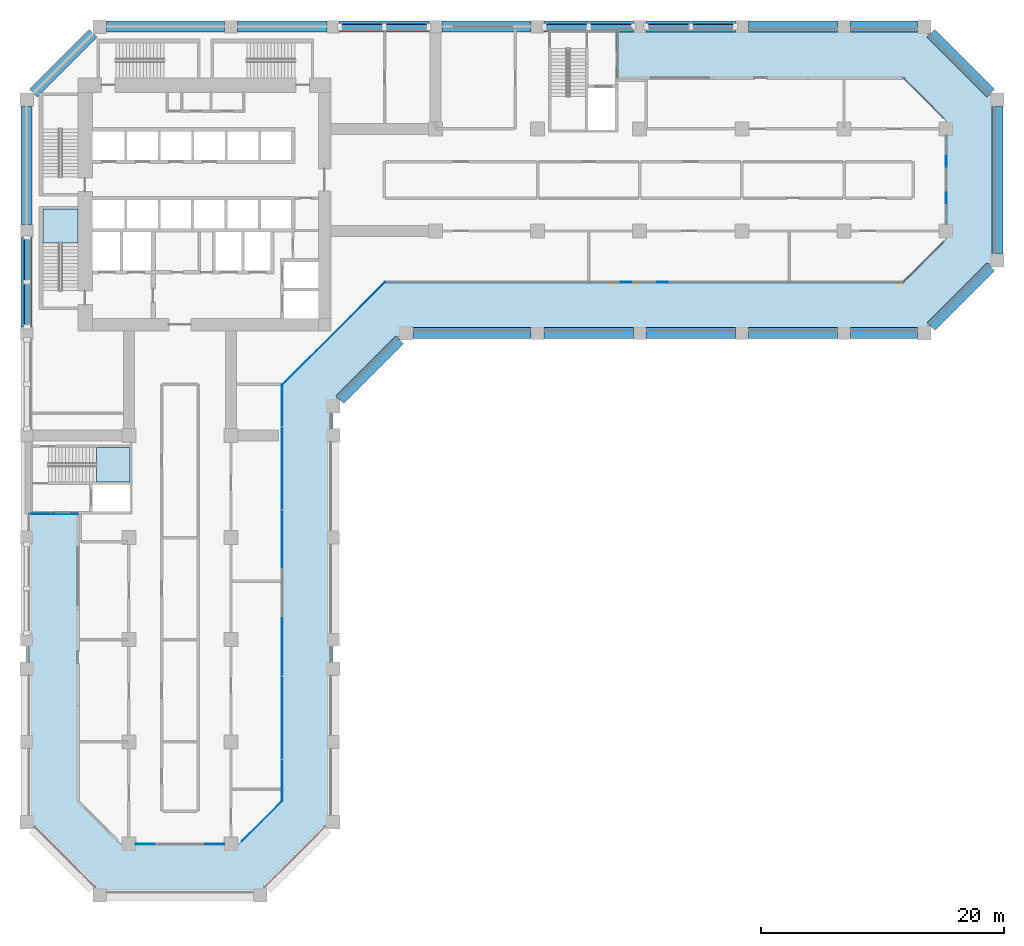
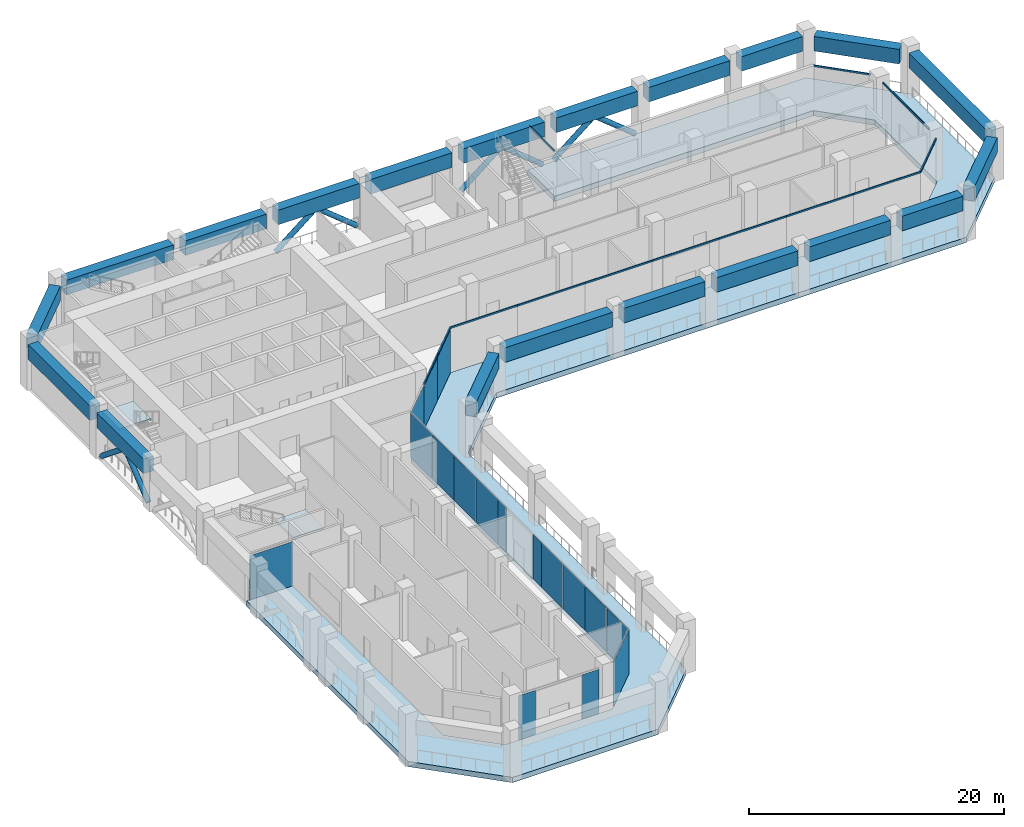
# One storey, part 3 of 19: 21 members, 20 beams, 17 plates, 3 slabs, 12 elements without a shape of their own.
"""IFC4 building model written with IfcOpenShell, lengths in metres."""

import ifcopenshell
import ifcopenshell.guid

model = None  # the IFC model being written
_history = None  # IfcOwnerHistory: only IFC2X3 demands one
_inside = {}  # id of a spatial element -> (the spatial element, [elements in it])
_under = {}  # id of a project, library or spatial element -> (it, [spatial elements below it])
_declared = {}  # id of a project -> (the project, [libraries it declares])
_typed = {}  # id of a type object -> (the type object, [elements of that type])
_made_of = {}  # id of a material, layer set ... -> (it, [elements and type objects made of it])


def new_model(schema):
    """Start an empty IFC model of exactly this schema.

    Asked for "IFC4X3", IfcOpenShell would pick the latest addendum, in which some entities
    have other attributes; the version numbers below select the first issue.
    IFC2X3 requires an IfcOwnerHistory on every rooted entity: one is made here for all.
    """
    global model, _history
    if schema == "IFC4X3":
        model = ifcopenshell.file(schema_version=(4, 3, 0, 0))
    else:
        model = ifcopenshell.file(schema=schema)
    _inside.clear()
    _under.clear()
    _declared.clear()
    _typed.clear()
    _made_of.clear()
    _history = None
    if model.schema == "IFC2X3":
        org = make("IfcOrganization", Name="unknown")
        user = make(
            "IfcPersonAndOrganization",
            ThePerson=make("IfcPerson", FamilyName="unknown"),
            TheOrganization=org,
        )
        app = make(
            "IfcApplication",
            ApplicationDeveloper=org,
            Version="unknown",
            ApplicationFullName="unknown",
            ApplicationIdentifier="unknown",
        )
        _history = make(
            "IfcOwnerHistory",
            OwningUser=user,
            OwningApplication=app,
            ChangeAction="ADDED",
            CreationDate=0,
        )
    return model


def make(cls, **values):
    """One entity of the class cls with the attributes given. An attribute that is None is left unset."""
    return model.create_entity(
        cls, **{name: value for name, value in values.items() if value is not None}
    )


def rooted(cls, **values):
    """An entity with a GlobalId (a new one), such as an element, a storey or a relation."""
    return make(cls, GlobalId=ifcopenshell.guid.new(), OwnerHistory=_history, **values)


def si_unit(unit_type, name, prefix=None):
    """IfcSIUnit, for example si_unit("LENGTHUNIT", "METRE", prefix="MILLI")."""
    return make("IfcSIUnit", UnitType=unit_type, Prefix=prefix, Name=name)


def assignment(units):
    """IfcUnitAssignment: the units of a project."""
    return None if units is None else make("IfcUnitAssignment", Units=units)


def point(xyz):
    """IfcCartesianPoint."""
    return None if xyz is None else make("IfcCartesianPoint", Coordinates=xyz)


def direction(xyz):
    """IfcDirection."""
    return None if xyz is None else make("IfcDirection", DirectionRatios=xyz)


def frame(location, z_axis=None, x_axis=None):
    """IfcAxis2Placement3D, a coordinate frame: its origin and axes. An axis left out is left unset."""
    return make(
        "IfcAxis2Placement3D",
        Location=point(location),
        Axis=direction(z_axis),
        RefDirection=direction(x_axis),
    )


def frame_2d(location, x_axis=None):
    """IfcAxis2Placement2D, a coordinate frame in the plane: its origin and x axis."""
    return make(
        "IfcAxis2Placement2D", Location=point(location), RefDirection=direction(x_axis)
    )


def origin():
    """The frame at (0, 0, 0) with its axes left unset."""
    return frame((0.0, 0.0, 0.0))


def origin_2d():
    """The frame at (0, 0) in the plane with its x axis left unset."""
    return frame_2d((0.0, 0.0))


def place(relative_to, where):
    """IfcLocalPlacement: puts the frame where relative to a parent placement (None: the world)."""
    return make(
        "IfcLocalPlacement", PlacementRelTo=relative_to, RelativePlacement=where
    )


def context(
    kind, dimensions, precision=None, world=None, true_north=None, identifier=None
):
    """IfcGeometricRepresentationContext, for example the 3D "Model" context."""
    return make(
        "IfcGeometricRepresentationContext",
        ContextIdentifier=identifier,
        ContextType=kind,
        CoordinateSpaceDimension=dimensions,
        Precision=precision,
        WorldCoordinateSystem=world,
        TrueNorth=true_north,
    )


def subcontext(parent, identifier, kind, view, scale=None):
    """IfcGeometricRepresentationSubContext, for example "Body" below "Model"."""
    return make(
        "IfcGeometricRepresentationSubContext",
        ContextIdentifier=identifier,
        ContextType=kind,
        ParentContext=parent,
        TargetScale=scale,
        TargetView=view,
    )


def project(units=None, contexts=None):
    """IfcProject with its units and contexts."""
    return rooted(
        "IfcProject",
        Name="project",
        RepresentationContexts=contexts,
        UnitsInContext=assignment(units),
    )


def spatial(cls, under=None, at=None, **own):
    """A site, building, storey or space (cls), placed at a placement, below another one or the project."""
    s = rooted(cls, ObjectPlacement=at, **own)
    if under is not None:
        _under.setdefault(under.id(), (under, []))[1].append(s)
    return s


def polyline(points):
    """IfcPolyline through the points."""
    return make("IfcPolyline", Points=[point(p) for p in points])


def profile(cls, at=None, kind="AREA", **sizes):
    """A parametric profile (cls). Its sizes go by their IFC names, for example OverallWidth=200.0."""
    return make(cls, ProfileType=kind, Position=at, **sizes)


def rectangle(**sizes):
    """IfcRectangleProfileDef."""
    return profile("IfcRectangleProfileDef", **sizes)


def hollow_circle(**sizes):
    """IfcCircleHollowProfileDef."""
    return profile("IfcCircleHollowProfileDef", **sizes)


def outline(outer, holes=None, kind="AREA"):
    """IfcArbitraryClosedProfileDef: a profile drawn as a closed curve; with holes, ...WithVoids."""
    if holes is None:
        return make("IfcArbitraryClosedProfileDef", ProfileType=kind, OuterCurve=outer)
    return make(
        "IfcArbitraryProfileDefWithVoids",
        ProfileType=kind,
        OuterCurve=outer,
        InnerCurves=holes,
    )


def extrude(swept, where, along, depth):
    """IfcExtrudedAreaSolid: the profile swept, set in the frame where, extruded along a direction by depth."""
    return make(
        "IfcExtrudedAreaSolid",
        SweptArea=swept,
        Position=where,
        ExtrudedDirection=direction(along),
        Depth=depth,
    )


def shape(context_of_items, identifier, shape_type, items):
    """IfcShapeRepresentation: the items that make up one representation, for example the "Body"."""
    return make(
        "IfcShapeRepresentation",
        ContextOfItems=context_of_items,
        RepresentationIdentifier=identifier,
        RepresentationType=shape_type,
        Items=items,
    )


def material(Name=None, Category=None):
    """IfcMaterial."""
    return make("IfcMaterial", Name=Name, Category=Category)


def layer(
    of_material, thickness, ventilated=None, Name=None, Category=None, Priority=None
):
    """IfcMaterialLayer: one layer of a wall or slab, of a material (None: an air gap)."""
    return make(
        "IfcMaterialLayer",
        Material=of_material,
        LayerThickness=thickness,
        IsVentilated=ventilated,
        Name=Name,
        Category=Category,
        Priority=Priority,
    )


def layer_set(layers, Name=None):
    """IfcMaterialLayerSet."""
    return make("IfcMaterialLayerSet", MaterialLayers=layers, LayerSetName=Name)


def material_profile(
    of_material, cross_section, Name=None, Category=None, Priority=None
):
    """IfcMaterialProfile: a cross section and its material."""
    return make(
        "IfcMaterialProfile",
        Name=Name,
        Material=of_material,
        Profile=cross_section,
        Priority=Priority,
        Category=Category,
    )


def profile_set(profiles, Name=None, composite=None):
    """IfcMaterialProfileSet."""
    return make(
        "IfcMaterialProfileSet",
        Name=Name,
        MaterialProfiles=profiles,
        CompositeProfile=composite,
    )


def made_of(thing, what):
    """Note that an element or type object is made of a material, layer set ...; save() writes the relation."""
    if what is not None:
        _made_of.setdefault(what.id(), (what, []))[1].append(thing)
    return thing


def type_object(cls, material=None, **own):
    """A type object (cls), such as IfcWallType, which elements share."""
    return made_of(rooted(cls, **own), material)


def element(
    cls,
    number,
    at=None,
    inside=None,
    cuts=None,
    type_object=None,
    material=None,
    context=None,
    identifier="Body",
    shape_type=None,
    held_by="IfcProductDefinitionShape",
    body=None,
    shapes=None,
    **own,
):
    """One element of the class cls, such as IfcWall. Its Tag is "e" and its number.

    at: its placement. inside: the storey or other place that contains it. cuts: it is an
    opening in that element (IfcRelVoidsElement). A single representation is given by context,
    identifier, shape_type and body (its items); several are given by shapes. held_by: the class
    of the entity that holds the representations. save() writes the other relations.
    """
    e = rooted(cls, Tag="e%d" % number, ObjectPlacement=at, **own)
    if body is not None:
        shapes = [shape(context, identifier, shape_type, body)]
    if shapes is not None:
        e.Representation = make(held_by, Representations=shapes)
    if inside is not None:
        _inside.setdefault(inside.id(), (inside, []))[1].append(e)
    if cuts is not None:
        rooted(
            "IfcRelVoidsElement", RelatingBuildingElement=cuts, RelatedOpeningElement=e
        )
    if type_object is not None:
        _typed.setdefault(type_object.id(), (type_object, []))[1].append(e)
    return made_of(e, material)


def aggregate(whole, parts):
    """IfcRelAggregates: a whole, such as a stair, and the parts it consists of."""
    return rooted("IfcRelAggregates", RelatingObject=whole, RelatedObjects=parts)


def save(model, path):
    """Write the relations noted so far, then the file.

    IfcRelAggregates (storeys below a building ...), IfcRelContainedInSpatialStructure (elements
    in a storey), IfcRelDefinesByType, IfcRelAssociatesMaterial and IfcRelDeclares: one each for
    every whole, place, type object, material and project.
    """
    for whole, parts in _under.values():
        aggregate(whole, parts)
    for where, things in _inside.values():
        rooted(
            "IfcRelContainedInSpatialStructure",
            RelatedElements=things,
            RelatingStructure=where,
        )
    for kind, things in _typed.values():
        rooted("IfcRelDefinesByType", RelatedObjects=things, RelatingType=kind)
    for what, things in _made_of.values():
        rooted("IfcRelAssociatesMaterial", RelatedObjects=things, RelatingMaterial=what)
    for by, libraries in _declared.values():
        rooted("IfcRelDeclares", RelatingContext=by, RelatedDefinitions=libraries)
    model.write(path)


model = new_model("IFC4")

# Units and contexts
model_context = context("Model", 3, precision=1e-05, world=origin(), true_north=direction((0.0, 1.0)))
body_context = subcontext(model_context, "Body", "Model", "MODEL_VIEW")
ifc_project = project(units=[si_unit("LENGTHUNIT", "METRE"), si_unit("AREAUNIT", "SQUARE_METRE"), si_unit("VOLUMEUNIT", "CUBIC_METRE"), si_unit("PLANEANGLEUNIT", "RADIAN"), si_unit("MASSUNIT", "GRAM", prefix="KILO")], contexts=[model_context])

# Site, building, storey
site_placement = place(None, origin())
site = spatial("IfcSite", under=ifc_project, at=site_placement, CompositionType="ELEMENT")
building_placement = place(site_placement, origin())
building = spatial("IfcBuilding", under=site, at=building_placement, Name="Kawkab Arch Medical Tower", CompositionType="ELEMENT")
storey_placement = place(building_placement, frame((0.0, 0.0, 93.800048828125)))
storey = spatial("IfcBuildingStorey", under=building, at=storey_placement, Name="L21", CompositionType="ELEMENT", Elevation=93.800048828125)

# Members
ifc_material_1 = material(Name="Steel S355", Category="steel")
ifc_material_profile_1 = material_profile(ifc_material_1, hollow_circle(Radius=0.228515625, WallThickness=0.02001953125, at=origin_2d()), Name="CHS 457x20")
ifc_profile_set_1 = profile_set([ifc_material_profile_1], Name="Steel S355")
member_type_1 = type_object("IfcMemberType", Name="CHS 457x20 belt truss brace S355", PredefinedType="BRACE", material=ifc_profile_set_1)
member_1_placement = place(storey_placement, frame((25.740478515625, 0.0, 0.1259765625), z_axis=(0.776941151094, 0.0, 0.629573226667), x_axis=(0.0, 1.0, 0.0)))
element("IfcMember", 1, at=member_1_placement, inside=storey, type_object=member_type_1, Name="Belt truss brace L21-N01A", PredefinedType="BRACE", context=body_context, shape_type="SweptSolid", body=[
    extrude(hollow_circle(Radius=0.228515625, WallThickness=0.02001953125, at=origin_2d()), origin(), (0.0, 0.0, 1.0), 4.699951171875),
])
member_2_placement = place(storey_placement, frame((33.0595703125, 0.0, 0.1259765625), z_axis=(-0.77696173889, 0.0, 0.629547818916), x_axis=(0.0, -1.0, 0.0)))
element("IfcMember", 2, at=member_2_placement, inside=storey, type_object=member_type_1, Name="Belt truss brace L21-N01B", PredefinedType="BRACE", context=body_context, shape_type="SweptSolid", body=[
    extrude(hollow_circle(Radius=0.228515625, WallThickness=0.02001953125, at=origin_2d()), origin(), (0.0, 0.0, 1.0), 4.7001953125),
])
member_3_placement = place(storey_placement, frame((42.54052734375, 0.0, 0.1259765625), z_axis=(0.776941151094, 0.0, 0.629573226667), x_axis=(0.0, 1.0, 0.0)))
element("IfcMember", 3, at=member_3_placement, inside=storey, type_object=member_type_1, Name="Belt truss brace L21-N02A", PredefinedType="BRACE", context=body_context, shape_type="SweptSolid", body=[
    extrude(hollow_circle(Radius=0.228515625, WallThickness=0.02001953125, at=origin_2d()), origin(), (0.0, 0.0, 1.0), 4.699951171875),
])
for number, where, z_axis, x_axis, name in (
    (4, (49.859619140625, 0.0, 0.1259765625), (-0.77696173889, 0.0, 0.629547818916), (0.0, -1.0, 0.0), "Belt truss brace L21-N02B"),
    (5, (50.9404296875, 0.0, 0.1259765625), (0.77696173889, 0.0, 0.629547818916), (0.0, 1.0, 0.0), "Belt truss brace L21-N03A"),
):
    element("IfcMember", number, at=place(storey_placement, frame(where, z_axis=z_axis, x_axis=x_axis)), inside=storey, type_object=member_type_1, Name=name, PredefinedType="BRACE", context=body_context, shape_type="SweptSolid", body=[
        extrude(hollow_circle(Radius=0.228515625, WallThickness=0.02001953125, at=origin_2d()), origin(), (0.0, 0.0, 1.0), 4.7001953125),
    ])
for number, where, z_axis, x_axis, name in (
    (6, (58.259521484375, 0.0, 0.1259765625), (-0.776941151094, 0.0, 0.629573226667), (0.0, -1.0, 0.0), "Belt truss brace L21-N03B"),
    (7, (0.0, -24.659423828125, 0.1259765625), (0.0, 0.776941151094, 0.629573226667), (-1.0, 0.0, 0.0), "Belt truss brace L21-W06A"),
    (8, (0.0, -17.340576171875, 0.1259765625), (0.0, -0.776941151094, 0.629573226667), (1.0, 0.0, 0.0), "Belt truss brace L21-W06B"),
):
    element("IfcMember", number, at=place(storey_placement, frame(where, z_axis=z_axis, x_axis=x_axis)), inside=storey, type_object=member_type_1, Name=name, PredefinedType="BRACE", context=body_context, shape_type="SweptSolid", body=[
        extrude(hollow_circle(Radius=0.228515625, WallThickness=0.02001953125, at=origin_2d()), origin(), (0.0, 0.0, 1.0), 4.699951171875),
    ])

# Curtain wall, members
ifc_material_2 = material(Name="Bronze anodised aluminium curtain wall frame", Category="aluminium")
ifc_layer_1 = layer(ifc_material_2, 0.159912109375)
ifc_layer_set_1 = layer_set([ifc_layer_1], Name="Bronze anodised aluminium curtain wall frame")
curtain_wall_type = type_object("IfcCurtainWallType", Name="CW4 refuge floor fire-protected glazing", PredefinedType="NOTDEFINED", material=ifc_layer_set_1)
placement_1 = place(storey_placement, origin())
curtain_wall_1 = element("IfcCurtainWall", 9, at=placement_1, inside=storey, type_object=curtain_wall_type, Name="CW4 Refuge floor fire-protected glazing R10", PredefinedType="NOTDEFINED")
ifc_material_3 = material(Name="Bronze anodised aluminium curtain wall frame", Category="aluminium")
ifc_material_profile_2 = material_profile(ifc_material_3, rectangle(XDim=0.080078125, YDim=0.159912109375, at=origin_2d()), Name="AL 80x160")
ifc_profile_set_2 = profile_set([ifc_material_profile_2], Name="Bronze anodised aluminium curtain wall frame")
member_type_2 = type_object("IfcMemberType", Name="CW4 transom 160 x 80", PredefinedType="USERDEFINED", material=ifc_profile_set_2)
member_4_placement = place(storey_placement, frame((23.820068359375, -26.639892578125, 4.320068359375), z_axis=(0.707106781187, 0.707106781187, 0.0), x_axis=(-0.707106781187, 0.707106781187, 0.0)))
member_4 = element("IfcMember", 10, at=member_4_placement, type_object=member_type_2, Name="CW4 transom 2", ObjectType="TRANSOM", PredefinedType="USERDEFINED", context=body_context, shape_type="SweptSolid", body=[
    extrude(rectangle(XDim=0.080078125, YDim=0.159912109375, at=origin_2d()), origin(), (0.0, 0.0, 1.0), 3.98779296875),
])
member_5_placement = place(storey_placement, frame((26.639892578125, -23.820068359375, 4.320068359375), z_axis=(0.707106781187, 0.707106781187, 0.0), x_axis=(-0.707106781187, 0.707106781187, 0.0)))
member_5 = element("IfcMember", 11, at=member_5_placement, type_object=member_type_2, Name="CW4 transom 3", ObjectType="TRANSOM", PredefinedType="USERDEFINED", context=body_context, shape_type="SweptSolid", body=[
    extrude(rectangle(XDim=0.080078125, YDim=0.159912109375, at=origin_2d()), origin(), (0.0, 0.0, 1.0), 3.98828125),
])

curtain_wall_2 = element("IfcCurtainWall", 12, at=placement_1, inside=storey, type_object=curtain_wall_type, Name="CW4 Refuge floor fire-protected glazing R11", PredefinedType="NOTDEFINED")
member_6_placement = place(storey_placement, frame((29.4599609375, -21.0, 4.320068359375), z_axis=(1.0, 0.0, 0.0), x_axis=(0.0, 1.0, 0.0)))
member_6 = element("IfcMember", 13, at=member_6_placement, type_object=member_type_2, Name="CW4 transom 1", ObjectType="TRANSOM", PredefinedType="USERDEFINED", context=body_context, shape_type="SweptSolid", body=[
    extrude(rectangle(XDim=0.080078125, YDim=0.159912109375, at=origin_2d()), origin(), (0.0, 0.0, 1.0), 6.085693359375),
])
member_7_placement = place(storey_placement, frame((35.545654296875, -21.0, 4.320068359375), z_axis=(1.0, 0.0, 0.0), x_axis=(0.0, 1.0, 0.0)))
member_7 = element("IfcMember", 14, at=member_7_placement, type_object=member_type_2, Name="CW4 transom 2", ObjectType="TRANSOM", PredefinedType="USERDEFINED", context=body_context, shape_type="SweptSolid", body=[
    extrude(rectangle(XDim=0.080078125, YDim=0.159912109375, at=origin_2d()), origin(), (0.0, 0.0, 1.0), 6.085693359375),
])
member_8_placement = place(storey_placement, frame((41.63134765625, -21.0, 4.320068359375), z_axis=(1.0, 0.0, 0.0), x_axis=(0.0, 1.0, 0.0)))
member_8 = element("IfcMember", 15, at=member_8_placement, type_object=member_type_2, Name="CW4 transom 3", ObjectType="TRANSOM", PredefinedType="USERDEFINED", context=body_context, shape_type="SweptSolid", body=[
    extrude(rectangle(XDim=0.080078125, YDim=0.159912109375, at=origin_2d()), origin(), (0.0, 0.0, 1.0), 6.085693359375),
])
member_9_placement = place(storey_placement, frame((47.717041015625, -21.0, 4.320068359375), z_axis=(1.0, 0.0, 0.0), x_axis=(0.0, 1.0, 0.0)))
member_9 = element("IfcMember", 16, at=member_9_placement, type_object=member_type_2, Name="CW4 transom 4", ObjectType="TRANSOM", PredefinedType="USERDEFINED", context=body_context, shape_type="SweptSolid", body=[
    extrude(rectangle(XDim=0.080078125, YDim=0.159912109375, at=origin_2d()), origin(), (0.0, 0.0, 1.0), 6.0859375),
])
member_10_placement = place(storey_placement, frame((53.802978515625, -21.0, 4.320068359375), z_axis=(1.0, 0.0, 0.0), x_axis=(0.0, 1.0, 0.0)))
member_10 = element("IfcMember", 17, at=member_10_placement, type_object=member_type_2, Name="CW4 transom 5", ObjectType="TRANSOM", PredefinedType="USERDEFINED", context=body_context, shape_type="SweptSolid", body=[
    extrude(rectangle(XDim=0.080078125, YDim=0.159912109375, at=origin_2d()), origin(), (0.0, 0.0, 1.0), 6.085693359375),
])
member_11_placement = place(storey_placement, frame((59.888671875, -21.0, 4.320068359375), z_axis=(1.0, 0.0, 0.0), x_axis=(0.0, 1.0, 0.0)))
member_11 = element("IfcMember", 18, at=member_11_placement, type_object=member_type_2, Name="CW4 transom 6", ObjectType="TRANSOM", PredefinedType="USERDEFINED", context=body_context, shape_type="SweptSolid", body=[
    extrude(rectangle(XDim=0.080078125, YDim=0.159912109375, at=origin_2d()), origin(), (0.0, 0.0, 1.0), 6.085693359375),
])
member_12_placement = place(storey_placement, frame((65.974365234375, -21.0, 4.320068359375), z_axis=(1.0, 0.0, 0.0), x_axis=(0.0, 1.0, 0.0)))
member_12 = element("IfcMember", 19, at=member_12_placement, type_object=member_type_2, Name="CW4 transom 7", ObjectType="TRANSOM", PredefinedType="USERDEFINED", context=body_context, shape_type="SweptSolid", body=[
    extrude(rectangle(XDim=0.080078125, YDim=0.159912109375, at=origin_2d()), origin(), (0.0, 0.0, 1.0), 6.085693359375),
])
aggregate(curtain_wall_2, [member_6, member_7, member_8, member_9, member_10, member_11, member_12])

# Curtain wall, member
curtain_wall_3 = element("IfcCurtainWall", 20, at=placement_1, inside=storey, type_object=curtain_wall_type, Name="CW4 Refuge floor fire-protected glazing R12", PredefinedType="NOTDEFINED")
member_13_placement = place(storey_placement, frame((72.06005859375, -21.0, 4.320068359375), z_axis=(0.707106781187, 0.707106781187, 0.0), x_axis=(-0.707106781187, 0.707106781187, 0.0)))
member_13 = element("IfcMember", 21, at=member_13_placement, type_object=member_type_2, Name="CW4 transom 1", ObjectType="TRANSOM", PredefinedType="USERDEFINED", context=body_context, shape_type="SweptSolid", body=[
    extrude(rectangle(XDim=0.080078125, YDim=0.159912109375, at=origin_2d()), origin(), (0.0, 0.0, 1.0), 4.65966796875),
])
aggregate(curtain_wall_3, [member_13])

curtain_wall_4 = element("IfcCurtainWall", 22, at=placement_1, inside=storey, type_object=curtain_wall_type, Name="CW4 Refuge floor fire-protected glazing R13", PredefinedType="NOTDEFINED")
member_14_placement = place(storey_placement, frame((75.60009765625, -16.22509765625, 4.320068359375), z_axis=(0.0, 1.0, 0.0), x_axis=(-1.0, 0.0, 0.0)))
member_14 = element("IfcMember", 23, at=member_14_placement, type_object=member_type_2, Name="CW4 transom 1", ObjectType="TRANSOM", PredefinedType="USERDEFINED", context=body_context, shape_type="SweptSolid", body=[
    extrude(rectangle(XDim=0.080078125, YDim=0.159912109375, at=origin_2d()), origin(), (0.0, 0.0, 1.0), 7.25),
])
aggregate(curtain_wall_4, [member_14])

curtain_wall_5 = element("IfcCurtainWall", 24, at=placement_1, inside=storey, type_object=curtain_wall_type, Name="CW4 Refuge floor fire-protected glazing R14", PredefinedType="NOTDEFINED")
member_15_placement = place(storey_placement, frame((75.35498046875, -7.4951171875, 4.320068359375), z_axis=(-0.70708058477, 0.707132976633, 0.0), x_axis=(-0.707132976633, -0.70708058477, 0.0)))
member_15 = element("IfcMember", 25, at=member_15_placement, type_object=member_type_2, Name="CW4 transom 1", ObjectType="TRANSOM", PredefinedType="USERDEFINED", context=body_context, shape_type="SweptSolid", body=[
    extrude(rectangle(XDim=0.080078125, YDim=0.159912109375, at=origin_2d()), origin(), (0.0, 0.0, 1.0), 4.659912109375),
])
aggregate(curtain_wall_5, [member_15])

curtain_wall_6 = element("IfcCurtainWall", 26, at=placement_1, inside=storey, type_object=curtain_wall_type, Name="CW4 Refuge floor fire-protected glazing R16", PredefinedType="NOTDEFINED")
member_16_placement = place(storey_placement, frame((48.60107421875, -4.199951171875, 4.320068359375), z_axis=(0.0, 1.0, 0.0), x_axis=(-1.0, 0.0, 0.0)))
member_16 = element("IfcMember", 27, at=member_16_placement, type_object=member_type_2, Name="CW4 transom 1", ObjectType="TRANSOM", PredefinedType="USERDEFINED", context=body_context, shape_type="SweptSolid", body=[
    extrude(rectangle(XDim=0.080078125, YDim=0.159912109375, at=origin_2d()), origin(), (0.0, 0.0, 1.0), 3.89990234375),
])
aggregate(curtain_wall_6, [member_16])

# Beams
ifc_material_4 = material(Name="Concrete C55/67", Category="concrete")
ifc_material_profile_3 = material_profile(ifc_material_4, rectangle(XDim=0.89990234375, YDim=1.39990234375, at=origin_2d()), Name="RC 900x1400")
ifc_profile_set_3 = profile_set([ifc_material_profile_3], Name="Concrete C55/67")
beam_type = type_object("IfcBeamType", Name="RC 900x1400 beam C55/67", PredefinedType="SPANDREL", material=ifc_profile_set_3)
beam_1_placement = place(storey_placement, frame((0.550048828125, -5.449951171875, 3.699951171875), z_axis=(0.707106781187, 0.707106781187, 0.0), x_axis=(-0.707106781187, 0.707106781187, 0.0)))
element("IfcBeam", 28, at=beam_1_placement, inside=storey, type_object=beam_type, Name="Belt beam L21-01", PredefinedType="SPANDREL", context=body_context, shape_type="SweptSolid", body=[
    extrude(rectangle(XDim=0.89990234375, YDim=1.39990234375, at=origin_2d()), origin(), (0.0, 0.0, 1.0), 6.929443359375),
])
beam_2_placement = place(storey_placement, frame((6.550048828125, 0.0, 3.699951171875), z_axis=(1.0, 0.0, 0.0), x_axis=(0.0, 1.0, 0.0)))
element("IfcBeam", 29, at=beam_2_placement, inside=storey, type_object=beam_type, Name="Belt beam L21-02", PredefinedType="SPANDREL", context=body_context, shape_type="SweptSolid", body=[
    extrude(rectangle(XDim=0.89990234375, YDim=1.39990234375, at=origin_2d()), origin(), (0.0, 0.0, 1.0), 9.724853515625),
])
beam_3_placement = place(storey_placement, frame((17.324951171875, 0.0, 3.699951171875), z_axis=(1.0, 0.0, 0.0), x_axis=(0.0, 1.0, 0.0)))
element("IfcBeam", 30, at=beam_3_placement, inside=storey, type_object=beam_type, Name="Belt beam L21-03", PredefinedType="SPANDREL", context=body_context, shape_type="SweptSolid", body=[
    extrude(rectangle(XDim=0.89990234375, YDim=1.39990234375, at=origin_2d()), origin(), (0.0, 0.0, 1.0), 7.35009765625),
])
beam_4_placement = place(storey_placement, frame((25.72509765625, 0.0, 3.699951171875), z_axis=(1.0, 0.0, 0.0), x_axis=(0.0, 1.0, 0.0)))
element("IfcBeam", 31, at=beam_4_placement, inside=storey, type_object=beam_type, Name="Belt beam L21-04", PredefinedType="SPANDREL", context=body_context, shape_type="SweptSolid", body=[
    extrude(rectangle(XDim=0.89990234375, YDim=1.39990234375, at=origin_2d()), origin(), (0.0, 0.0, 1.0), 7.349853515625),
])
for number, where, z_axis, x_axis, name in (
    (32, (34.125, 0.0, 3.699951171875), (1.0, 0.0, 0.0), (0.0, 1.0, 0.0), "Belt beam L21-05"),
    (33, (42.52490234375, 0.0, 3.699951171875), (1.0, 0.0, 0.0), (0.0, 1.0, 0.0), "Belt beam L21-06"),
):
    element("IfcBeam", number, at=place(storey_placement, frame(where, z_axis=z_axis, x_axis=x_axis)), inside=storey, type_object=beam_type, Name=name, PredefinedType="SPANDREL", context=body_context, shape_type="SweptSolid", body=[
        extrude(rectangle(XDim=0.89990234375, YDim=1.39990234375, at=origin_2d()), origin(), (0.0, 0.0, 1.0), 7.35009765625),
    ])
beam_5_placement = place(storey_placement, frame((50.925048828125, 0.0, 3.699951171875), z_axis=(1.0, 0.0, 0.0), x_axis=(0.0, 1.0, 0.0)))
element("IfcBeam", 34, at=beam_5_placement, inside=storey, type_object=beam_type, Name="Belt beam L21-07", PredefinedType="SPANDREL", context=body_context, shape_type="SweptSolid", body=[
    extrude(rectangle(XDim=0.89990234375, YDim=1.39990234375, at=origin_2d()), origin(), (0.0, 0.0, 1.0), 7.349853515625),
])
beam_6_placement = place(storey_placement, frame((59.324951171875, 0.0, 3.699951171875), z_axis=(1.0, 0.0, 0.0), x_axis=(0.0, 1.0, 0.0)))
element("IfcBeam", 35, at=beam_6_placement, inside=storey, type_object=beam_type, Name="Belt beam L21-08", PredefinedType="SPANDREL", context=body_context, shape_type="SweptSolid", body=[
    extrude(rectangle(XDim=0.89990234375, YDim=1.39990234375, at=origin_2d()), origin(), (0.0, 0.0, 1.0), 7.35009765625),
])
beam_7_placement = place(storey_placement, frame((67.72509765625, 0.0, 3.699951171875), z_axis=(1.0, 0.0, 0.0), x_axis=(0.0, 1.0, 0.0)))
element("IfcBeam", 36, at=beam_7_placement, inside=storey, type_object=beam_type, Name="Belt beam L21-09", PredefinedType="SPANDREL", context=body_context, shape_type="SweptSolid", body=[
    extrude(rectangle(XDim=0.89990234375, YDim=1.39990234375, at=origin_2d()), origin(), (0.0, 0.0, 1.0), 5.52490234375),
])
beam_8_placement = place(storey_placement, frame((74.35009765625, -0.550048828125, 3.699951171875), z_axis=(0.707106781187, -0.707106781187, 0.0), x_axis=(0.707106781187, 0.707106781187, 0.0)))
element("IfcBeam", 37, at=beam_8_placement, inside=storey, type_object=beam_type, Name="Belt beam L21-10", PredefinedType="SPANDREL", context=body_context, shape_type="SweptSolid", body=[
    extrude(rectangle(XDim=0.89990234375, YDim=1.39990234375, at=origin_2d()), origin(), (0.0, 0.0, 1.0), 6.929443359375),
])
beam_9_placement = place(storey_placement, frame((79.800048828125, -6.550048828125, 3.699951171875), z_axis=(0.0, -1.0, 0.0), x_axis=(1.0, 0.0, 0.0)))
element("IfcBeam", 38, at=beam_9_placement, inside=storey, type_object=beam_type, Name="Belt beam L21-11", PredefinedType="SPANDREL", context=body_context, shape_type="SweptSolid", body=[
    extrude(rectangle(XDim=0.89990234375, YDim=1.39990234375, at=origin_2d()), origin(), (0.0, 0.0, 1.0), 12.099853515625),
])
beam_10_placement = place(storey_placement, frame((79.25, -19.75, 3.699951171875), z_axis=(-0.707106781187, -0.707106781187, 0.0), x_axis=(0.707106781187, -0.707106781187, 0.0)))
element("IfcBeam", 39, at=beam_10_placement, inside=storey, type_object=beam_type, Name="Belt beam L21-12", PredefinedType="SPANDREL", context=body_context, shape_type="SweptSolid", body=[
    extrude(rectangle(XDim=0.89990234375, YDim=1.39990234375, at=origin_2d()), origin(), (0.0, 0.0, 1.0), 6.929443359375),
])
beam_11_placement = place(storey_placement, frame((73.25, -25.199951171875, 3.699951171875), z_axis=(-1.0, 0.0, 0.0), x_axis=(0.0, -1.0, 0.0)))
element("IfcBeam", 40, at=beam_11_placement, inside=storey, type_object=beam_type, Name="Belt beam L21-13", PredefinedType="SPANDREL", context=body_context, shape_type="SweptSolid", body=[
    extrude(rectangle(XDim=0.89990234375, YDim=1.39990234375, at=origin_2d()), origin(), (0.0, 0.0, 1.0), 5.52490234375),
])
beam_12_placement = place(storey_placement, frame((66.675048828125, -25.199951171875, 3.699951171875), z_axis=(-1.0, 0.0, 0.0), x_axis=(0.0, -1.0, 0.0)))
element("IfcBeam", 41, at=beam_12_placement, inside=storey, type_object=beam_type, Name="Belt beam L21-14", PredefinedType="SPANDREL", context=body_context, shape_type="SweptSolid", body=[
    extrude(rectangle(XDim=0.89990234375, YDim=1.39990234375, at=origin_2d()), origin(), (0.0, 0.0, 1.0), 7.35009765625),
])
beam_13_placement = place(storey_placement, frame((58.27490234375, -25.199951171875, 3.699951171875), z_axis=(-1.0, 0.0, 0.0), x_axis=(0.0, -1.0, 0.0)))
element("IfcBeam", 42, at=beam_13_placement, inside=storey, type_object=beam_type, Name="Belt beam L21-15", PredefinedType="SPANDREL", context=body_context, shape_type="SweptSolid", body=[
    extrude(rectangle(XDim=0.89990234375, YDim=1.39990234375, at=origin_2d()), origin(), (0.0, 0.0, 1.0), 7.349853515625),
])
beam_14_placement = place(storey_placement, frame((49.875, -25.199951171875, 3.699951171875), z_axis=(-1.0, 0.0, 0.0), x_axis=(0.0, -1.0, 0.0)))
element("IfcBeam", 43, at=beam_14_placement, inside=storey, type_object=beam_type, Name="Belt beam L21-16", PredefinedType="SPANDREL", context=body_context, shape_type="SweptSolid", body=[
    extrude(rectangle(XDim=0.89990234375, YDim=1.39990234375, at=origin_2d()), origin(), (0.0, 0.0, 1.0), 7.35009765625),
])
beam_15_placement = place(storey_placement, frame((41.47509765625, -25.199951171875, 3.699951171875), z_axis=(-1.0, 0.0, 0.0), x_axis=(0.0, -1.0, 0.0)))
element("IfcBeam", 44, at=beam_15_placement, inside=storey, type_object=beam_type, Name="Belt beam L21-17", PredefinedType="SPANDREL", context=body_context, shape_type="SweptSolid", body=[
    extrude(rectangle(XDim=0.89990234375, YDim=1.39990234375, at=origin_2d()), origin(), (0.0, 0.0, 1.0), 9.72509765625),
])
beam_16_placement = place(storey_placement, frame((30.64990234375, -25.75, 3.699951171875), z_axis=(-0.707106781187, -0.707106781187, 0.0), x_axis=(0.707106781187, -0.707106781187, 0.0)))
element("IfcBeam", 45, at=beam_16_placement, inside=storey, type_object=beam_type, Name="Belt beam L21-18", PredefinedType="SPANDREL", context=body_context, shape_type="SweptSolid", body=[
    extrude(rectangle(XDim=0.89990234375, YDim=1.39990234375, at=origin_2d()), origin(), (0.0, 0.0, 1.0), 6.929443359375),
])
beam_17_placement = place(storey_placement, frame((0.0, -24.675048828125, 3.699951171875), z_axis=(0.0, 1.0, 0.0), x_axis=(-1.0, 0.0, 0.0)))
element("IfcBeam", 46, at=beam_17_placement, inside=storey, type_object=beam_type, Name="Belt beam L21-34", PredefinedType="SPANDREL", context=body_context, shape_type="SweptSolid", body=[
    extrude(rectangle(XDim=0.89990234375, YDim=1.39990234375, at=origin_2d()), origin(), (0.0, 0.0, 1.0), 7.35009765625),
])
beam_18_placement = place(storey_placement, frame((0.0, -16.27490234375, 3.699951171875), z_axis=(0.0, 1.0, 0.0), x_axis=(-1.0, 0.0, 0.0)))
element("IfcBeam", 47, at=beam_18_placement, inside=storey, type_object=beam_type, Name="Belt beam L21-35", PredefinedType="SPANDREL", context=body_context, shape_type="SweptSolid", body=[
    extrude(rectangle(XDim=0.89990234375, YDim=1.39990234375, at=origin_2d()), origin(), (0.0, 0.0, 1.0), 9.724853515625),
])

# Curtain wall, plate
curtain_wall_7 = element("IfcCurtainWall", 48, at=placement_1, inside=storey, type_object=curtain_wall_type, Name="CW4 Refuge floor fire-protected glazing R04", PredefinedType="NOTDEFINED")
ifc_material_5 = material(Name="Fire-resisting laminated glass", Category="glass")
ifc_layer_2 = layer(ifc_material_5, 0.0400390625)
ifc_layer_set_2 = layer_set([ifc_layer_2], Name="Fire-resisting laminated glass")
plate_type = type_object("IfcPlateType", Name="CW4 glazing unit 40", PredefinedType="CURTAIN_PANEL", material=ifc_layer_set_2)
plate_1_placement = place(storey_placement, frame((2.25, -40.050048828125, 0.0), z_axis=(0.0, 0.0, 1.0), x_axis=(1.0, 0.0, 0.0)))
plate_1 = element("IfcPlate", 49, at=plate_1_placement, type_object=plate_type, Name="CW4 glazing unit 1.1", PredefinedType="CURTAIN_PANEL", context=body_context, shape_type="SweptSolid", body=[
    extrude(rectangle(XDim=3.89990234375, YDim=0.0400390625, at=origin_2d()), origin(), (0.0, 0.0, 1.0), 4.239990234375),
])
aggregate(curtain_wall_7, [plate_1])

# Curtain wall, plates
curtain_wall_8 = element("IfcCurtainWall", 50, at=placement_1, inside=storey, type_object=curtain_wall_type, Name="CW4 Refuge floor fire-protected glazing R07", PredefinedType="NOTDEFINED")
plate_2_placement = place(storey_placement, frame((9.737548828125, -67.200927734375, 0.0), z_axis=(0.0, 0.0, 1.0), x_axis=(1.0, 0.0, 0.0)))
plate_2 = element("IfcPlate", 51, at=plate_2_placement, type_object=plate_type, Name="CW4 glazing unit 1.1", PredefinedType="CURTAIN_PANEL", context=body_context, shape_type="SweptSolid", body=[
    extrude(rectangle(XDim=1.52490234375, YDim=0.0400390625, at=origin_2d()), origin(), (0.0, 0.0, 1.0), 4.239990234375),
])
plate_3_placement = place(storey_placement, frame((15.46240234375, -67.200927734375, 0.0), z_axis=(0.0, 0.0, 1.0), x_axis=(1.0, 0.0, 0.0)))
plate_3 = element("IfcPlate", 52, at=plate_3_placement, type_object=plate_type, Name="CW4 glazing unit 1.3", PredefinedType="CURTAIN_PANEL", context=body_context, shape_type="SweptSolid", body=[
    extrude(rectangle(XDim=1.52490234375, YDim=0.0400390625, at=origin_2d()), origin(), (0.0, 0.0, 1.0), 4.239990234375),
])
aggregate(curtain_wall_8, [plate_2, plate_3])

# Curtain wall, plate
curtain_wall_9 = element("IfcCurtainWall", 53, at=placement_1, inside=storey, type_object=curtain_wall_type, Name="CW4 Refuge floor fire-protected glazing R08", PredefinedType="NOTDEFINED")
plate_4_placement = place(storey_placement, frame((19.3525390625, -65.3076171875, 0.0), z_axis=(0.0, 0.0, 1.0), x_axis=(0.707106781187, 0.707106781187, 0.0)))
plate_4 = element("IfcPlate", 54, at=plate_4_placement, type_object=plate_type, Name="CW4 glazing unit 1.1", PredefinedType="CURTAIN_PANEL", context=body_context, shape_type="SweptSolid", body=[
    extrude(rectangle(XDim=4.659912109375, YDim=0.0400390625, at=origin_2d()), origin(), (0.0, 0.0, 1.0), 4.239990234375),
])
aggregate(curtain_wall_9, [plate_4])

# Curtain wall, plates
curtain_wall_10 = element("IfcCurtainWall", 55, at=placement_1, inside=storey, type_object=curtain_wall_type, Name="CW4 Refuge floor fire-protected glazing R09", PredefinedType="NOTDEFINED")
plate_5_placement = place(storey_placement, frame((21.0, -61.969970703125, 0.0), z_axis=(0.0, 0.0, 1.0), x_axis=(0.0, 1.0, 0.0)))
plate_5 = element("IfcPlate", 56, at=plate_5_placement, type_object=plate_type, Name="CW4 glazing unit 1.1", PredefinedType="CURTAIN_PANEL", context=body_context, shape_type="SweptSolid", body=[
    extrude(rectangle(XDim=3.3798828125, YDim=0.0400390625, at=origin_2d()), origin(), (0.0, 0.0, 1.0), 4.239990234375),
])
plate_6_placement = place(storey_placement, frame((21.0, -58.510009765625, 0.0), z_axis=(0.0, 0.0, 1.0), x_axis=(0.0, 1.0, 0.0)))
plate_6 = element("IfcPlate", 57, at=plate_6_placement, type_object=plate_type, Name="CW4 glazing unit 1.2", PredefinedType="CURTAIN_PANEL", context=body_context, shape_type="SweptSolid", body=[
    extrude(rectangle(XDim=3.3798828125, YDim=0.0400390625, at=origin_2d()), origin(), (0.0, 0.0, 1.0), 4.239990234375),
])
plate_7_placement = place(storey_placement, frame((21.0, -55.1298828125, 0.0), z_axis=(0.0, 0.0, 1.0), x_axis=(0.0, 1.0, 0.0)))
plate_7 = element("IfcPlate", 58, at=plate_7_placement, type_object=plate_type, Name="CW4 glazing unit 2.1", PredefinedType="CURTAIN_PANEL", context=body_context, shape_type="SweptSolid", body=[
    extrude(rectangle(XDim=3.3798828125, YDim=0.0400390625, at=origin_2d()), origin(), (0.0, 0.0, 1.0), 4.239990234375),
])
plate_8_placement = place(storey_placement, frame((21.0, -51.669921875, 0.0), z_axis=(0.0, 0.0, 1.0), x_axis=(0.0, 1.0, 0.0)))
plate_8 = element("IfcPlate", 59, at=plate_8_placement, type_object=plate_type, Name="CW4 glazing unit 2.2", PredefinedType="CURTAIN_PANEL", context=body_context, shape_type="SweptSolid", body=[
    extrude(rectangle(XDim=3.3798828125, YDim=0.0400390625, at=origin_2d()), origin(), (0.0, 0.0, 1.0), 4.239990234375),
])
plate_9_placement = place(storey_placement, frame((21.0, -49.320068359375, 0.0), z_axis=(0.0, 0.0, 1.0), x_axis=(0.0, 1.0, 0.0)))
plate_9 = element("IfcPlate", 60, at=plate_9_placement, type_object=plate_type, Name="CW4 glazing unit 3.1", PredefinedType="CURTAIN_PANEL", context=body_context, shape_type="SweptSolid", body=[
    extrude(rectangle(XDim=1.320068359375, YDim=0.0400390625, at=origin_2d()), origin(), (0.0, 0.0, 1.0), 4.239990234375),
])
plate_10_placement = place(storey_placement, frame((21.0, -43.800048828125, 0.0), z_axis=(0.0, 0.0, 1.0), x_axis=(0.0, 1.0, 0.0)))
plate_10 = element("IfcPlate", 61, at=plate_10_placement, type_object=plate_type, Name="CW4 glazing unit 3.3", PredefinedType="CURTAIN_PANEL", context=body_context, shape_type="SweptSolid", body=[
    extrude(rectangle(XDim=1.320068359375, YDim=0.0400390625, at=origin_2d()), origin(), (0.0, 0.0, 1.0), 4.239990234375),
])
plate_11_placement = place(storey_placement, frame((21.0, -41.449951171875, 0.0), z_axis=(0.0, 0.0, 1.0), x_axis=(0.0, 1.0, 0.0)))
plate_11 = element("IfcPlate", 62, at=plate_11_placement, type_object=plate_type, Name="CW4 glazing unit 4.1", PredefinedType="CURTAIN_PANEL", context=body_context, shape_type="SweptSolid", body=[
    extrude(rectangle(XDim=3.3798828125, YDim=0.0400390625, at=origin_2d()), origin(), (0.0, 0.0, 1.0), 4.239990234375),
])
plate_12_placement = place(storey_placement, frame((21.0, -37.989990234375, 0.0), z_axis=(0.0, 0.0, 1.0), x_axis=(0.0, 1.0, 0.0)))
plate_12 = element("IfcPlate", 63, at=plate_12_placement, type_object=plate_type, Name="CW4 glazing unit 4.2", PredefinedType="CURTAIN_PANEL", context=body_context, shape_type="SweptSolid", body=[
    extrude(rectangle(XDim=3.3798828125, YDim=0.0400390625, at=origin_2d()), origin(), (0.0, 0.0, 1.0), 4.239990234375),
])
plate_13_placement = place(storey_placement, frame((21.0, -34.610107421875, 0.0), z_axis=(0.0, 0.0, 1.0), x_axis=(0.0, 1.0, 0.0)))
plate_13 = element("IfcPlate", 64, at=plate_13_placement, type_object=plate_type, Name="CW4 glazing unit 5.1", PredefinedType="CURTAIN_PANEL", context=body_context, shape_type="SweptSolid", body=[
    extrude(rectangle(XDim=3.3798828125, YDim=0.0400390625, at=origin_2d()), origin(), (0.0, 0.0, 1.0), 4.239990234375),
])
plate_14_placement = place(storey_placement, frame((21.0, -31.14990234375, 0.0), z_axis=(0.0, 0.0, 1.0), x_axis=(0.0, 1.0, 0.0)))
plate_14 = element("IfcPlate", 65, at=plate_14_placement, type_object=plate_type, Name="CW4 glazing unit 5.2", PredefinedType="CURTAIN_PANEL", context=body_context, shape_type="SweptSolid", body=[
    extrude(rectangle(XDim=3.3798828125, YDim=0.0400390625, at=origin_2d()), origin(), (0.0, 0.0, 1.0), 4.239990234375),
])
aggregate(curtain_wall_10, [plate_5, plate_6, plate_7, plate_8, plate_9, plate_10, plate_11, plate_12, plate_13, plate_14])

# Plate
plate_15_placement = place(storey_placement, frame((22.409912109375, -28.050048828125, 0.0), z_axis=(0.0, 0.0, 1.0), x_axis=(0.707106781187, 0.707106781187, 0.0)))
plate_15 = element("IfcPlate", 66, at=plate_15_placement, type_object=plate_type, Name="CW4 glazing unit 1.1", PredefinedType="CURTAIN_PANEL", context=body_context, shape_type="SweptSolid", body=[
    extrude(rectangle(XDim=3.988037109375, YDim=0.0400390625, at=origin_2d()), origin(), (0.0, 0.0, 1.0), 4.239990234375),
])

plate_16_placement = place(storey_placement, frame((25.22998046875, -25.22998046875, 0.0), z_axis=(0.0, 0.0, 1.0), x_axis=(0.707106781187, 0.707106781187, 0.0)))
plate_16 = element("IfcPlate", 67, at=plate_16_placement, type_object=plate_type, Name="CW4 glazing unit 2.1", PredefinedType="CURTAIN_PANEL", context=body_context, shape_type="SweptSolid", body=[
    extrude(rectangle(XDim=3.988037109375, YDim=0.0400390625, at=origin_2d()), origin(), (0.0, 0.0, 1.0), 4.239990234375),
])

plate_17_placement = place(storey_placement, frame((28.050048828125, -22.409912109375, 0.0), z_axis=(0.0, 0.0, 1.0), x_axis=(0.707106781187, 0.707106781187, 0.0)))
plate_17 = element("IfcPlate", 68, at=plate_17_placement, type_object=plate_type, Name="CW4 glazing unit 3.1", PredefinedType="CURTAIN_PANEL", context=body_context, shape_type="SweptSolid", body=[
    extrude(rectangle(XDim=3.988037109375, YDim=0.0400390625, at=origin_2d()), origin(), (0.0, 0.0, 1.0), 4.239990234375),
])

aggregate(curtain_wall_1, [plate_15, member_4, plate_16, member_5, plate_17])

# Stair, slab
ifc_material_6 = material(Name="Concrete C40/50", Category="concrete")
stair_type = type_object("IfcStairType", Name="Exit stair 1350", PredefinedType="HALF_TURN_STAIR", material=ifc_material_6)
stair_1 = element("IfcStair", 69, at=placement_1, inside=storey, type_object=stair_type, Name="L21 Exit stair ST2", PredefinedType="HALF_TURN_STAIR")
ifc_material_7 = material(Name="Concrete C40/50", Category="concrete")
ifc_layer_3 = layer(ifc_material_7, 0.199951171875)
ifc_layer_set_3 = layer_set([ifc_layer_3], Name="Concrete C40/50")
slab_type_1 = type_object("IfcSlabType", Name="Exit stair landing 200", PredefinedType="LANDING", material=ifc_layer_set_3)
placement_2 = place(storey_placement, frame((0.0, 0.0, 2.300048828125)))
slab_1 = element("IfcSlab", 70, at=placement_2, type_object=slab_type_1, Name="ST2 landing 1", PredefinedType="LANDING", context=body_context, shape_type="SweptSolid", body=[
    extrude(outline(polyline([(4.199951171875, -17.780029296875), (4.199951171875, -15.0), (1.35009765625, -15.0), (1.35009765625, -17.780029296875), (4.199951171875, -17.780029296875)])), origin(), (0.0, 0.0, 1.0), 0.199951171875),
])
aggregate(stair_1, [slab_1])

stair_2 = element("IfcStair", 71, at=placement_1, inside=storey, type_object=stair_type, Name="L21 Exit stair ST6", PredefinedType="HALF_TURN_STAIR")
slab_2 = element("IfcSlab", 72, at=placement_2, type_object=slab_type_1, Name="ST6 landing 1", PredefinedType="LANDING", context=body_context, shape_type="SweptSolid", body=[
    extrude(outline(polyline([(5.719970703125, -37.449951171875), (8.5, -37.449951171875), (8.5, -34.60009765625), (5.719970703125, -34.60009765625), (5.719970703125, -37.449951171875)])), origin(), (0.0, 0.0, 1.0), 0.199951171875),
])
aggregate(stair_2, [slab_2])

# Slab
ifc_material_8 = material(Name="Concrete C45/55", Category="concrete")
ifc_layer_4 = layer(ifc_material_8, 0.5)
ifc_layer_set_4 = layer_set([ifc_layer_4], Name="Concrete C45/55")
slab_type_2 = type_object("IfcSlabType", Name="Refuge terrace slab 500", PredefinedType="FLOOR", material=ifc_layer_set_4)
slab_3_placement = place(storey_placement, frame((0.0, 0.0, -0.5)))
element("IfcSlab", 73, at=slab_3_placement, inside=storey, type_object=slab_type_2, Name="Refuge terrace slab L21.1", PredefinedType="FLOOR", context=body_context, shape_type="SweptSolid", body=[
    extrude(outline(polyline([(4.199951171875, -63.659912109375), (4.199951171875, -40.050048828125), (0.300048828125, -40.050048828125), (0.0, -40.050048828125), (0.0, -65.39990234375), (6.0, -71.39990234375), (19.199951171875, -71.39990234375), (25.199951171875, -65.39990234375), (25.199951171875, -31.199951171875), (31.199951171875, -25.199951171875), (73.800048828125, -25.199951171875), (79.800048828125, -19.199951171875), (79.800048828125, -6.0), (73.800048828125, 0.0), (48.60107421875, 0.0), (48.60107421875, -0.300048828125), (48.60107421875, -4.199951171875), (72.06005859375, -4.199951171875), (75.60009765625, -7.739990234375), (75.60009765625, -17.4599609375), (72.06005859375, -21.0), (29.4599609375, -21.0), (21.0, -29.4599609375), (21.0, -63.659912109375), (17.4599609375, -67.199951171875), (17.4599609375, -67.200927734375), (7.739990234375, -67.200927734375), (7.739990234375, -67.199951171875), (4.199951171875, -63.659912109375)])), origin(), (0.0, 0.0, 1.0), 0.5),
])

save(model, "model.ifc")
